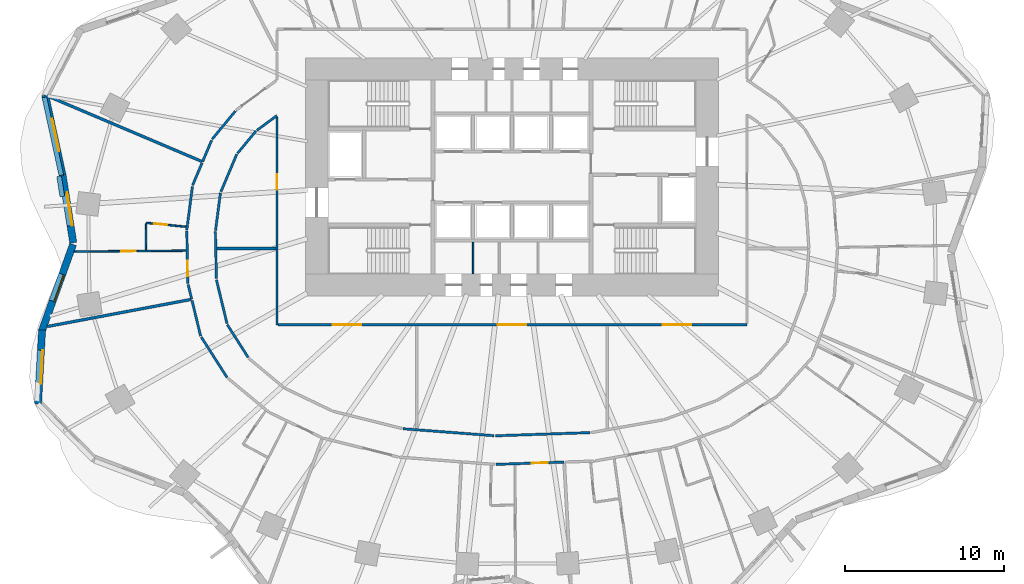
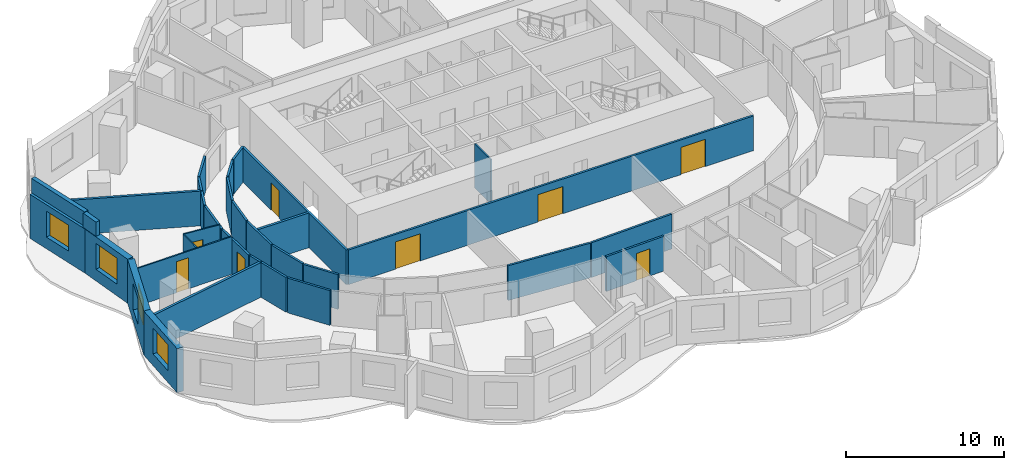
# One storey, part 4 of 11: 33 walls, 8 doors, 4 windows, 12 openings.
"""IFC4 building model written with IfcOpenShell, lengths in metres."""

import ifcopenshell
import ifcopenshell.guid

model = None  # the IFC model being written
_history = None  # IfcOwnerHistory: only IFC2X3 demands one
_inside = {}  # id of a spatial element -> (the spatial element, [elements in it])
_under = {}  # id of a project, library or spatial element -> (it, [spatial elements below it])
_declared = {}  # id of a project -> (the project, [libraries it declares])
_typed = {}  # id of a type object -> (the type object, [elements of that type])
_made_of = {}  # id of a material, layer set ... -> (it, [elements and type objects made of it])


def new_model(schema):
    """Start an empty IFC model of exactly this schema.

    Asked for "IFC4X3", IfcOpenShell would pick the latest addendum, in which some entities
    have other attributes; the version numbers below select the first issue.
    IFC2X3 requires an IfcOwnerHistory on every rooted entity: one is made here for all.
    """
    global model, _history
    if schema == "IFC4X3":
        model = ifcopenshell.file(schema_version=(4, 3, 0, 0))
    else:
        model = ifcopenshell.file(schema=schema)
    _inside.clear()
    _under.clear()
    _declared.clear()
    _typed.clear()
    _made_of.clear()
    _history = None
    if model.schema == "IFC2X3":
        org = make("IfcOrganization", Name="unknown")
        user = make(
            "IfcPersonAndOrganization",
            ThePerson=make("IfcPerson", FamilyName="unknown"),
            TheOrganization=org,
        )
        app = make(
            "IfcApplication",
            ApplicationDeveloper=org,
            Version="unknown",
            ApplicationFullName="unknown",
            ApplicationIdentifier="unknown",
        )
        _history = make(
            "IfcOwnerHistory",
            OwningUser=user,
            OwningApplication=app,
            ChangeAction="ADDED",
            CreationDate=0,
        )
    return model


def make(cls, **values):
    """One entity of the class cls with the attributes given. An attribute that is None is left unset."""
    return model.create_entity(
        cls, **{name: value for name, value in values.items() if value is not None}
    )


def rooted(cls, **values):
    """An entity with a GlobalId (a new one), such as an element, a storey or a relation."""
    return make(cls, GlobalId=ifcopenshell.guid.new(), OwnerHistory=_history, **values)


def si_unit(unit_type, name, prefix=None):
    """IfcSIUnit, for example si_unit("LENGTHUNIT", "METRE", prefix="MILLI")."""
    return make("IfcSIUnit", UnitType=unit_type, Prefix=prefix, Name=name)


def assignment(units):
    """IfcUnitAssignment: the units of a project."""
    return None if units is None else make("IfcUnitAssignment", Units=units)


def point(xyz):
    """IfcCartesianPoint."""
    return None if xyz is None else make("IfcCartesianPoint", Coordinates=xyz)


def direction(xyz):
    """IfcDirection."""
    return None if xyz is None else make("IfcDirection", DirectionRatios=xyz)


def frame(location, z_axis=None, x_axis=None):
    """IfcAxis2Placement3D, a coordinate frame: its origin and axes. An axis left out is left unset."""
    return make(
        "IfcAxis2Placement3D",
        Location=point(location),
        Axis=direction(z_axis),
        RefDirection=direction(x_axis),
    )


def frame_2d(location, x_axis=None):
    """IfcAxis2Placement2D, a coordinate frame in the plane: its origin and x axis."""
    return make(
        "IfcAxis2Placement2D", Location=point(location), RefDirection=direction(x_axis)
    )


def origin():
    """The frame at (0, 0, 0) with its axes left unset."""
    return frame((0.0, 0.0, 0.0))


def place(relative_to, where):
    """IfcLocalPlacement: puts the frame where relative to a parent placement (None: the world)."""
    return make(
        "IfcLocalPlacement", PlacementRelTo=relative_to, RelativePlacement=where
    )


def context(
    kind, dimensions, precision=None, world=None, true_north=None, identifier=None
):
    """IfcGeometricRepresentationContext, for example the 3D "Model" context."""
    return make(
        "IfcGeometricRepresentationContext",
        ContextIdentifier=identifier,
        ContextType=kind,
        CoordinateSpaceDimension=dimensions,
        Precision=precision,
        WorldCoordinateSystem=world,
        TrueNorth=true_north,
    )


def subcontext(parent, identifier, kind, view, scale=None):
    """IfcGeometricRepresentationSubContext, for example "Body" below "Model"."""
    return make(
        "IfcGeometricRepresentationSubContext",
        ContextIdentifier=identifier,
        ContextType=kind,
        ParentContext=parent,
        TargetScale=scale,
        TargetView=view,
    )


def project(units=None, contexts=None):
    """IfcProject with its units and contexts."""
    return rooted(
        "IfcProject",
        Name="project",
        RepresentationContexts=contexts,
        UnitsInContext=assignment(units),
    )


def spatial(cls, under=None, at=None, **own):
    """A site, building, storey or space (cls), placed at a placement, below another one or the project."""
    s = rooted(cls, ObjectPlacement=at, **own)
    if under is not None:
        _under.setdefault(under.id(), (under, []))[1].append(s)
    return s


def profile(cls, at=None, kind="AREA", **sizes):
    """A parametric profile (cls). Its sizes go by their IFC names, for example OverallWidth=200.0."""
    return make(cls, ProfileType=kind, Position=at, **sizes)


def rectangle(**sizes):
    """IfcRectangleProfileDef."""
    return profile("IfcRectangleProfileDef", **sizes)


def extrude(swept, where, along, depth):
    """IfcExtrudedAreaSolid: the profile swept, set in the frame where, extruded along a direction by depth."""
    return make(
        "IfcExtrudedAreaSolid",
        SweptArea=swept,
        Position=where,
        ExtrudedDirection=direction(along),
        Depth=depth,
    )


def shape(context_of_items, identifier, shape_type, items):
    """IfcShapeRepresentation: the items that make up one representation, for example the "Body"."""
    return make(
        "IfcShapeRepresentation",
        ContextOfItems=context_of_items,
        RepresentationIdentifier=identifier,
        RepresentationType=shape_type,
        Items=items,
    )


def material(Name=None, Category=None):
    """IfcMaterial."""
    return make("IfcMaterial", Name=Name, Category=Category)


def layer(
    of_material, thickness, ventilated=None, Name=None, Category=None, Priority=None
):
    """IfcMaterialLayer: one layer of a wall or slab, of a material (None: an air gap)."""
    return make(
        "IfcMaterialLayer",
        Material=of_material,
        LayerThickness=thickness,
        IsVentilated=ventilated,
        Name=Name,
        Category=Category,
        Priority=Priority,
    )


def layer_set(layers, Name=None):
    """IfcMaterialLayerSet."""
    return make("IfcMaterialLayerSet", MaterialLayers=layers, LayerSetName=Name)


def made_of(thing, what):
    """Note that an element or type object is made of a material, layer set ...; save() writes the relation."""
    if what is not None:
        _made_of.setdefault(what.id(), (what, []))[1].append(thing)
    return thing


def type_object(cls, material=None, **own):
    """A type object (cls), such as IfcWallType, which elements share."""
    return made_of(rooted(cls, **own), material)


def element(
    cls,
    number,
    at=None,
    inside=None,
    cuts=None,
    type_object=None,
    material=None,
    context=None,
    identifier="Body",
    shape_type=None,
    held_by="IfcProductDefinitionShape",
    body=None,
    shapes=None,
    **own,
):
    """One element of the class cls, such as IfcWall. Its Tag is "e" and its number.

    at: its placement. inside: the storey or other place that contains it. cuts: it is an
    opening in that element (IfcRelVoidsElement). A single representation is given by context,
    identifier, shape_type and body (its items); several are given by shapes. held_by: the class
    of the entity that holds the representations. save() writes the other relations.
    """
    e = rooted(cls, Tag="e%d" % number, ObjectPlacement=at, **own)
    if body is not None:
        shapes = [shape(context, identifier, shape_type, body)]
    if shapes is not None:
        e.Representation = make(held_by, Representations=shapes)
    if inside is not None:
        _inside.setdefault(inside.id(), (inside, []))[1].append(e)
    if cuts is not None:
        rooted(
            "IfcRelVoidsElement", RelatingBuildingElement=cuts, RelatedOpeningElement=e
        )
    if type_object is not None:
        _typed.setdefault(type_object.id(), (type_object, []))[1].append(e)
    return made_of(e, material)


def fill(opening, filler):
    """IfcRelFillsElement: the door or window that sits in an opening."""
    return rooted(
        "IfcRelFillsElement",
        RelatingOpeningElement=opening,
        RelatedBuildingElement=filler,
    )


def aggregate(whole, parts):
    """IfcRelAggregates: a whole, such as a stair, and the parts it consists of."""
    return rooted("IfcRelAggregates", RelatingObject=whole, RelatedObjects=parts)


def save(model, path):
    """Write the relations noted so far, then the file.

    IfcRelAggregates (storeys below a building ...), IfcRelContainedInSpatialStructure (elements
    in a storey), IfcRelDefinesByType, IfcRelAssociatesMaterial and IfcRelDeclares: one each for
    every whole, place, type object, material and project.
    """
    for whole, parts in _under.values():
        aggregate(whole, parts)
    for where, things in _inside.values():
        rooted(
            "IfcRelContainedInSpatialStructure",
            RelatedElements=things,
            RelatingStructure=where,
        )
    for kind, things in _typed.values():
        rooted("IfcRelDefinesByType", RelatedObjects=things, RelatingType=kind)
    for what, things in _made_of.values():
        rooted("IfcRelAssociatesMaterial", RelatedObjects=things, RelatingMaterial=what)
    for by, libraries in _declared.values():
        rooted("IfcRelDeclares", RelatingContext=by, RelatedDefinitions=libraries)
    model.write(path)


model = new_model("IFC4")

# Units and contexts
model_context = context("Model", 3, precision=1e-05, world=origin(), true_north=direction((0.0, 1.0)))
body_context = subcontext(model_context, "Body", "Model", "MODEL_VIEW")
ifc_project = project(units=[si_unit("LENGTHUNIT", "METRE"), si_unit("AREAUNIT", "SQUARE_METRE"), si_unit("VOLUMEUNIT", "CUBIC_METRE"), si_unit("PLANEANGLEUNIT", "RADIAN"), si_unit("MASSUNIT", "GRAM", prefix="KILO")], contexts=[model_context])

# Site, building, storey
site_placement = place(None, origin())
site = spatial("IfcSite", under=ifc_project, at=site_placement, CompositionType="ELEMENT")
building_placement = place(site_placement, origin())
building = spatial("IfcBuilding", under=site, at=building_placement, Name="Rubra Terraces Tower", CompositionType="ELEMENT")
storey_placement = place(building_placement, frame((0.0, 0.0, 69.89990234375)))
storey = spatial("IfcBuildingStorey", under=building, at=storey_placement, Name="L15", CompositionType="ELEMENT", Elevation=69.89990234375)

# Walls
ifc_material_1 = material(Name="Twin plasterboard on staggered steel stud, acoustic mineral wool", Category="steel")
ifc_layer_1 = layer(ifc_material_1, 0.175048828125)
ifc_layer_set_1 = layer_set([ifc_layer_1], Name="Twin plasterboard on staggered steel stud, acoustic mineral wool")
wall_type_1 = type_object("IfcWallType", Name="ACOUSTIC PARTY WALL 175", PredefinedType="PARTITIONING", material=ifc_layer_set_1)
wall_1_placement = place(storey_placement, frame((-29.13916015625, 9.557373046875, 0.0), z_axis=(0.0, 0.0, 1.0), x_axis=(0.920647173492, -0.390395673568, 0.0)))
element("IfcWall", 1, at=wall_1_placement, inside=storey, type_object=wall_type_1, Name="PARTITION", PredefinedType="PARTITIONING", context=body_context, shape_type="SweptSolid", body=[
    extrude(rectangle(XDim=10.4111328125, YDim=0.175048828125, at=frame_2d((5.20556640625, 0.0))), origin(), (0.0, 0.0, 1.0), 2.68017578125),
])
wall_2_placement = place(storey_placement, frame((-29.256591796875, -4.90966796875, 0.0), z_axis=(0.0, 0.0, 1.0), x_axis=(0.982745434227, 0.184963270695, 0.0)))
element("IfcWall", 2, at=wall_2_placement, inside=storey, type_object=wall_type_1, Name="PARTITION", PredefinedType="PARTITIONING", context=body_context, shape_type="SweptSolid", body=[
    extrude(rectangle(XDim=9.1748046875, YDim=0.175048828125, at=frame_2d((4.58740234375, 0.0))), origin(), (0.0, 0.0, 1.0), 2.68017578125),
])
wall_3_placement = place(storey_placement, frame((-18.578857421875, 0.0, 0.0), z_axis=(0.0, 0.0, 1.0), x_axis=(1.0, 0.0, 0.0)))
element("IfcWall", 3, at=wall_3_placement, inside=storey, type_object=wall_type_1, Name="PARTITION", PredefinedType="PARTITIONING", context=body_context, shape_type="SweptSolid", body=[
    extrude(rectangle(XDim=3.703857421875, YDim=0.175048828125, at=frame_2d((1.85205078125, 0.0))), origin(), (0.0, 0.0, 1.0), 2.68017578125),
])

# Wall, opening, window
ifc_material_2 = material(Name="Brick masonry red-brown", Category="masonry")
ifc_layer_2 = layer(ifc_material_2, 0.449951171875)
ifc_layer_set_2 = layer_set([ifc_layer_2], Name="Brick masonry red-brown")
wall_type_2 = type_object("IfcWallType", Name="Brick facade wall 450", PredefinedType="SOLIDWALL", material=ifc_layer_set_2)
wall_4_placement = place(storey_placement, frame((-29.39697265625, 9.665771484375, 0.0), z_axis=(0.0, 0.0, 1.0), x_axis=(0.211962455994, -0.977277809657, 0.0)))
wall_4 = element("IfcWall", 4, at=wall_4_placement, inside=storey, type_object=wall_type_2, Name="Facade wall L15 bay 19", PredefinedType="SOLIDWALL", context=body_context, shape_type="SweptSolid", body=[
    extrude(rectangle(XDim=5.185546875, YDim=0.449951171875, at=frame_2d((2.5927734375, 0.0))), origin(), (0.0, 0.0, 1.0), 3.400146484375),
])
opening_1_placement = place(wall_4_placement, frame((1.542724609375, 0.0, 0.89990234375)))
opening_1 = element("IfcOpeningElement", 5, at=opening_1_placement, cuts=wall_4, Name="Opening W1", PredefinedType="OPENING", context=body_context, shape_type="SweptSolid", body=[
    extrude(rectangle(XDim=2.10009765625, YDim=2.0, at=frame_2d((1.050048828125, 1.0))), frame((0.0, 0.23486328125, 0.0), z_axis=(0.0, -1.0, 0.0), x_axis=(1.0, 0.0, 0.0)), (0.0, 0.0, 1.0), 0.469970703125),
])
ifc_material_3 = material(Name="Clear glass in aluminium frame", Category="aluminium")
window_type_1 = type_object("IfcWindowType", Name="Fixed deep-set window 2100 x 2000", PartitioningType="SINGLE_PANEL", PredefinedType="WINDOW", material=ifc_material_3)
window_1_placement = place(opening_1_placement, origin())
window_1 = element("IfcWindow", 6, at=window_1_placement, inside=storey, type_object=window_type_1, Name="Window L15 bay 19", OverallHeight=2.0, OverallWidth=2.10009765625, PartitioningType="SINGLE_PANEL", PredefinedType="WINDOW", context=body_context, shape_type="SweptSolid", body=[
    extrude(rectangle(XDim=2.10009765625, YDim=2.0, at=frame_2d((1.050048828125, 1.0))), frame((0.0, 0.135009765625, 0.0), z_axis=(0.0, -1.0, 0.0), x_axis=(1.0, 0.0, 0.0)), (0.0, 0.0, 1.0), 0.06005859375),
])
fill(opening_1, window_1)

wall_5_placement = place(storey_placement, frame((-28.295654296875, 4.584228515625, 0.0), z_axis=(0.0, 0.0, 1.0), x_axis=(0.156402397796, -0.987693419014, 0.0)))
wall_5 = element("IfcWall", 7, at=wall_5_placement, inside=storey, type_object=wall_type_2, Name="Facade wall L15 bay 20", PredefinedType="SOLIDWALL", context=body_context, shape_type="SweptSolid", body=[
    extrude(rectangle(XDim=4.275634765625, YDim=0.449951171875, at=frame_2d((2.1376953125, 0.0))), origin(), (0.0, 0.0, 1.0), 3.400146484375),
])
opening_2_placement = place(wall_5_placement, frame((1.087890625, 0.0, 0.89990234375)))
opening_2 = element("IfcOpeningElement", 8, at=opening_2_placement, cuts=wall_5, Name="Opening W1", PredefinedType="OPENING", context=body_context, shape_type="SweptSolid", body=[
    extrude(rectangle(XDim=2.10009765625, YDim=2.0, at=frame_2d((1.050048828125, 1.0))), frame((0.0, 0.23486328125, 0.0), z_axis=(0.0, -1.0, 0.0), x_axis=(1.0, 0.0, 0.0)), (0.0, 0.0, 1.0), 0.469970703125),
])
window_2_placement = place(opening_2_placement, origin())
window_2 = element("IfcWindow", 9, at=window_2_placement, inside=storey, type_object=window_type_1, Name="Window L15 bay 20", OverallHeight=2.0, OverallWidth=2.10009765625, PartitioningType="SINGLE_PANEL", PredefinedType="WINDOW", context=body_context, shape_type="SweptSolid", body=[
    extrude(rectangle(XDim=2.10009765625, YDim=2.0, at=frame_2d((1.050048828125, 1.0))), frame((0.0, 0.135009765625, 0.0), z_axis=(0.0, -1.0, 0.0), x_axis=(1.0, 0.0, 0.0)), (0.0, 0.0, 1.0), 0.06005859375),
])
fill(opening_2, window_2)

wall_6_placement = place(storey_placement, frame((-27.638427734375, 0.25732421875, 0.0), z_axis=(0.0, 0.0, 1.0), x_axis=(-0.338914809068, -0.940817066275, 0.0)))
wall_6 = element("IfcWall", 10, at=wall_6_placement, inside=storey, type_object=wall_type_2, Name="Facade wall L15 bay 21", PredefinedType="SOLIDWALL", context=body_context, shape_type="SweptSolid", body=[
    extrude(rectangle(XDim=5.79736328125, YDim=0.449951171875, at=frame_2d((2.898681640625, 0.0))), origin(), (0.0, 0.0, 1.0), 3.400146484375),
])
opening_3_placement = place(wall_6_placement, frame((1.99853515625, 0.0, 0.89990234375)))
opening_3 = element("IfcOpeningElement", 11, at=opening_3_placement, cuts=wall_6, Name="Opening W6", PredefinedType="OPENING", context=body_context, shape_type="SweptSolid", body=[
    extrude(rectangle(XDim=1.800048828125, YDim=2.0, at=frame_2d((0.89990234375, 1.0))), frame((0.0, 0.23486328125, 0.0), z_axis=(0.0, -1.0, 0.0), x_axis=(1.0, 0.0, 0.0)), (0.0, 0.0, 1.0), 0.469970703125),
])
window_type_2 = type_object("IfcWindowType", Name="Fixed deep-set window at wind fin 1800 x 2000", PartitioningType="SINGLE_PANEL", PredefinedType="WINDOW", material=ifc_material_3)
window_3_placement = place(opening_3_placement, origin())
window_3 = element("IfcWindow", 12, at=window_3_placement, inside=storey, type_object=window_type_2, Name="Window L15 bay 21", OverallHeight=2.0, OverallWidth=1.800048828125, PartitioningType="SINGLE_PANEL", PredefinedType="WINDOW", context=body_context, shape_type="SweptSolid", body=[
    extrude(rectangle(XDim=1.800048828125, YDim=2.0, at=frame_2d((0.89990234375, 1.0))), frame((0.0, 0.135009765625, 0.0), z_axis=(0.0, -1.0, 0.0), x_axis=(1.0, 0.0, 0.0)), (0.0, 0.0, 1.0), 0.06005859375),
])
fill(opening_3, window_3)

wall_7_placement = place(storey_placement, frame((-29.59033203125, -5.1328125, 0.0), z_axis=(0.0, 0.0, 1.0), x_axis=(-0.054738225791, -0.998500739427, 0.0)))
wall_7 = element("IfcWall", 13, at=wall_7_placement, inside=storey, type_object=wall_type_2, Name="Facade wall L15 bay 22", PredefinedType="SOLIDWALL", context=body_context, shape_type="SweptSolid", body=[
    extrude(rectangle(XDim=4.656494140625, YDim=0.449951171875, at=frame_2d((2.328125, 0.0))), origin(), (0.0, 0.0, 1.0), 3.400146484375),
])
opening_4_placement = place(wall_7_placement, frame((1.2783203125, 0.0, 0.89990234375)))
opening_4 = element("IfcOpeningElement", 14, at=opening_4_placement, cuts=wall_7, Name="Opening W1", PredefinedType="OPENING", context=body_context, shape_type="SweptSolid", body=[
    extrude(rectangle(XDim=2.10009765625, YDim=2.0, at=frame_2d((1.050048828125, 1.0))), frame((0.0, 0.23486328125, 0.0), z_axis=(0.0, -1.0, 0.0), x_axis=(1.0, 0.0, 0.0)), (0.0, 0.0, 1.0), 0.469970703125),
])
window_4_placement = place(opening_4_placement, origin())
window_4 = element("IfcWindow", 15, at=window_4_placement, inside=storey, type_object=window_type_1, Name="Window L15 bay 22", OverallHeight=2.0, OverallWidth=2.10009765625, PartitioningType="SINGLE_PANEL", PredefinedType="WINDOW", context=body_context, shape_type="SweptSolid", body=[
    extrude(rectangle(XDim=2.10009765625, YDim=2.0, at=frame_2d((1.050048828125, 1.0))), frame((0.0, 0.135009765625, 0.0), z_axis=(0.0, -1.0, 0.0), x_axis=(1.0, 0.0, 0.0)), (0.0, 0.0, 1.0), 0.06005859375),
])
fill(opening_4, window_4)

# Walls
ifc_layer_3 = layer(ifc_material_2, 0.300048828125)
ifc_layer_set_3 = layer_set([ifc_layer_3], Name="Brick masonry red-brown")
wall_type_3 = type_object("IfcWallType", Name="Brick parapet 300", PredefinedType="PARAPET", material=ifc_layer_set_3)
wall_8_placement = place(storey_placement, frame((-29.44189453125, 9.519775390625, 3.60009765625), z_axis=(0.0, 0.0, 1.0), x_axis=(0.211918382355, -0.977287367779, 0.0)))
element("IfcWall", 16, at=wall_8_placement, inside=storey, type_object=wall_type_3, Name="Parapet L15 bay 19", PredefinedType="PARAPET", context=body_context, shape_type="SweptSolid", body=[
    extrude(rectangle(XDim=5.01611328125, YDim=0.300048828125, at=frame_2d((2.508056640625, 0.0))), origin(), (0.0, 0.0, 1.0), 1.10009765625),
])
wall_9_placement = place(storey_placement, frame((-28.51904296875, 4.556396484375, 3.60009765625), z_axis=(0.0, 0.0, 1.0), x_axis=(0.156466543472, -0.987683259337, 0.0)))
element("IfcWall", 17, at=wall_9_placement, inside=storey, type_object=wall_type_3, Name="Parapet L15 bay 20", PredefinedType="PARAPET", context=body_context, shape_type="SweptSolid", body=[
    extrude(rectangle(XDim=1.29345703125, YDim=0.300048828125, at=frame_2d((0.646728515625, 0.0))), origin(), (0.0, 0.0, 1.0), 1.10009765625),
])
ifc_material_4 = material(Name="Plasterboard on steel stud, mineral wool infill", Category="steel")
ifc_layer_4 = layer(ifc_material_4, 0.14990234375)
ifc_layer_set_4 = layer_set([ifc_layer_4], Name="Plasterboard on steel stud, mineral wool infill")
wall_type_4 = type_object("IfcWallType", Name="CORRIDOR PARTITION 150", PredefinedType="PARTITIONING", material=ifc_layer_set_4)
wall_10_placement = place(storey_placement, frame((-17.416015625, 8.65869140625, 0.0), z_axis=(0.0, 0.0, 1.0), x_axis=(-0.636865073139, -0.770975277564, 0.0)))
element("IfcWall", 18, at=wall_10_placement, inside=storey, type_object=wall_type_4, Name="PARTITION", PredefinedType="PARTITIONING", context=body_context, shape_type="SweptSolid", body=[
    extrude(rectangle(XDim=2.31201171875, YDim=0.14990234375, at=frame_2d((1.156005859375, 0.0))), origin(), (0.0, 0.0, 1.0), 2.68017578125),
])
wall_11_placement = place(storey_placement, frame((-18.917724609375, 6.80712890625, 0.0), z_axis=(0.0, 0.0, 1.0), x_axis=(-0.38918670373, -0.921158894893, 0.0)))
element("IfcWall", 19, at=wall_11_placement, inside=storey, type_object=wall_type_4, Name="PARTITION", PredefinedType="PARTITIONING", context=body_context, shape_type="SweptSolid", body=[
    extrude(rectangle(XDim=1.45849609375, YDim=0.14990234375, at=frame_2d((0.729248046875, 0.0))), origin(), (0.0, 0.0, 1.0), 2.68017578125),
])
wall_12_placement = place(storey_placement, frame((-19.514404296875, 5.39453125, 0.0), z_axis=(0.0, 0.0, 1.0), x_axis=(-0.38919963173, -0.921153432747, 0.0)))
element("IfcWall", 20, at=wall_12_placement, inside=storey, type_object=wall_type_4, Name="PARTITION", PredefinedType="PARTITIONING", context=body_context, shape_type="SweptSolid", body=[
    extrude(rectangle(XDim=1.53759765625, YDim=0.14990234375, at=frame_2d((0.768798828125, 0.0))), origin(), (0.0, 0.0, 1.0), 2.68017578125),
])
wall_13_placement = place(storey_placement, frame((-20.12255859375, 3.90380859375, 0.0), z_axis=(0.0, 0.0, 1.0), x_axis=(-0.128964810526, -0.991649170648, 0.0)))
element("IfcWall", 21, at=wall_13_placement, inside=storey, type_object=wall_type_4, Name="PARTITION", PredefinedType="PARTITIONING", context=body_context, shape_type="SweptSolid", body=[
    extrude(rectangle(XDim=2.760009765625, YDim=0.14990234375, at=frame_2d((1.3798828125, 0.0))), origin(), (0.0, 0.0, 1.0), 2.68017578125),
])

# Wall, opening, door
wall_14_placement = place(storey_placement, frame((-20.476806640625, 1.091796875, 0.0), z_axis=(0.0, 0.0, 1.0), x_axis=(0.020774736247, -0.999784181878, 0.0)))
wall_14 = element("IfcWall", 22, at=wall_14_placement, inside=storey, type_object=wall_type_4, Name="PARTITION", PredefinedType="PARTITIONING", context=body_context, shape_type="SweptSolid", body=[
    extrude(rectangle(XDim=3.29052734375, YDim=0.14990234375, at=frame_2d((1.645263671875, 0.0))), origin(), (0.0, 0.0, 1.0), 2.68017578125),
])
opening_5_placement = place(wall_14_placement, frame((1.85009765625, 0.0, 0.0)))
opening_5 = element("IfcOpeningElement", 23, at=opening_5_placement, cuts=wall_14, Name="Opening 15-110", PredefinedType="OPENING", context=body_context, shape_type="SweptSolid", body=[
    extrude(rectangle(XDim=1.0, YDim=2.10009765625, at=frame_2d((0.5, 1.050048828125))), frame((0.0, 0.0849609375, 0.0), z_axis=(0.0, -1.0, 0.0), x_axis=(1.0, 0.0, 0.0)), (0.0, 0.0, 1.0), 0.169921875),
])
ifc_material_5 = material(Name="Painted timber door leaf", Category="wood")
door_type_1 = type_object("IfcDoorType", Name="ROOM DOOR 1000 X 2100", OperationType="SINGLE_SWING_LEFT", PredefinedType="DOOR", material=ifc_material_5)
door_1_placement = place(opening_5_placement, origin())
door_1 = element("IfcDoor", 24, at=door_1_placement, inside=storey, type_object=door_type_1, Name="DOOR 15-110", OperationType="SINGLE_SWING_RIGHT", OverallHeight=2.10009765625, OverallWidth=1.0, PredefinedType="DOOR", context=body_context, shape_type="SweptSolid", body=[
    extrude(rectangle(XDim=1.0, YDim=2.10009765625, at=frame_2d((0.5, 1.050048828125))), frame((0.0, 0.02490234375, 0.0), z_axis=(0.0, -1.0, 0.0), x_axis=(1.0, 0.0, 0.0)), (0.0, 0.0, 1.0), 0.050048828125),
])
fill(opening_5, door_1)

# Walls
wall_15_placement = place(storey_placement, frame((-20.390869140625, -2.27099609375, 0.0), z_axis=(0.0, 0.0, 1.0), x_axis=(0.235307200809, -0.971921046818, 0.0)))
element("IfcWall", 25, at=wall_15_placement, inside=storey, type_object=wall_type_4, Name="PARTITION", PredefinedType="PARTITIONING", context=body_context, shape_type="SweptSolid", body=[
    extrude(rectangle(XDim=0.95458984375, YDim=0.14990234375, at=frame_2d((0.477294921875, 0.0))), origin(), (0.0, 0.0, 1.0), 2.68017578125),
])
wall_16_placement = place(storey_placement, frame((-20.148681640625, -3.271728515625, 0.0), z_axis=(0.0, 0.0, 1.0), x_axis=(0.235227162998, -0.971940420905, 0.0)))
element("IfcWall", 26, at=wall_16_placement, inside=storey, type_object=wall_type_4, Name="PARTITION", PredefinedType="PARTITIONING", context=body_context, shape_type="SweptSolid", body=[
    extrude(rectangle(XDim=2.30517578125, YDim=0.14990234375, at=frame_2d((1.152587890625, 0.0))), origin(), (0.0, 0.0, 1.0), 2.68017578125),
])
wall_17_placement = place(storey_placement, frame((-19.566162109375, -5.575439453125, 0.0), z_axis=(0.0, 0.0, 1.0), x_axis=(0.538039111825, -0.842919874096, 0.0)))
element("IfcWall", 27, at=wall_17_placement, inside=storey, type_object=wall_type_4, Name="PARTITION", PredefinedType="PARTITIONING", context=body_context, shape_type="SweptSolid", body=[
    extrude(rectangle(XDim=3.026123046875, YDim=0.14990234375, at=frame_2d((1.51318359375, 0.0))), origin(), (0.0, 0.0, 1.0), 2.68017578125),
])

# Wall, opening, door
wall_18_placement = place(storey_placement, frame((-1.015625, -13.592041015625, 0.0), z_axis=(0.0, 0.0, 1.0), x_axis=(0.999436122376, 0.03357733298, 0.0)))
wall_18 = element("IfcWall", 28, at=wall_18_placement, inside=storey, type_object=wall_type_4, Name="PARTITION", PredefinedType="PARTITIONING", context=body_context, shape_type="SweptSolid", body=[
    extrude(rectangle(XDim=4.304443359375, YDim=0.14990234375, at=frame_2d((2.15234375, 0.0))), origin(), (0.0, 0.0, 1.0), 2.68017578125),
])
opening_6_placement = place(wall_18_placement, frame((2.259033203125, 0.0, 0.0)))
opening_6 = element("IfcOpeningElement", 29, at=opening_6_placement, cuts=wall_18, Name="Opening 15-117", PredefinedType="OPENING", context=body_context, shape_type="SweptSolid", body=[
    extrude(rectangle(XDim=1.0, YDim=2.10009765625, at=frame_2d((0.5, 1.050048828125))), frame((0.0, 0.0849609375, 0.0), z_axis=(0.0, -1.0, 0.0), x_axis=(1.0, 0.0, 0.0)), (0.0, 0.0, 1.0), 0.169921875),
])
door_2_placement = place(opening_6_placement, origin())
door_2 = element("IfcDoor", 30, at=door_2_placement, inside=storey, type_object=door_type_1, Name="DOOR 15-117", OperationType="SINGLE_SWING_RIGHT", OverallHeight=2.10009765625, OverallWidth=1.0, PredefinedType="DOOR", context=body_context, shape_type="SweptSolid", body=[
    extrude(rectangle(XDim=1.0, YDim=2.10009765625, at=frame_2d((0.5, 1.050048828125))), frame((0.0, 0.02490234375, 0.0), z_axis=(0.0, -1.0, 0.0), x_axis=(1.0, 0.0, 0.0)), (0.0, 0.0, 1.0), 0.050048828125),
])
fill(opening_6, door_2)

# Walls
wall_19_placement = place(storey_placement, frame((4.917724609375, -11.591796875, 0.0), z_axis=(0.0, 0.0, 1.0), x_axis=(-0.999436848763, -0.033555704937, 0.0)))
element("IfcWall", 31, at=wall_19_placement, inside=storey, type_object=wall_type_4, Name="PARTITION", PredefinedType="PARTITIONING", context=body_context, shape_type="SweptSolid", body=[
    extrude(rectangle(XDim=5.973388671875, YDim=0.14990234375, at=frame_2d((2.98681640625, 0.0))), origin(), (0.0, 0.0, 1.0), 2.68017578125),
])
wall_20_placement = place(storey_placement, frame((-1.126953125, -11.78662109375, 0.0), z_axis=(0.0, 0.0, 1.0), x_axis=(-0.997100464786, 0.076096406765, 0.0)))
element("IfcWall", 32, at=wall_20_placement, inside=storey, type_object=wall_type_4, Name="PARTITION", PredefinedType="PARTITIONING", context=body_context, shape_type="SweptSolid", body=[
    extrude(rectangle(XDim=5.755615234375, YDim=0.14990234375, at=frame_2d((2.8779296875, 0.0))), origin(), (0.0, 0.0, 1.0), 2.68017578125),
])
wall_21_placement = place(storey_placement, frame((-16.6123046875, -6.857666015625, 0.0), z_axis=(0.0, 0.0, 1.0), x_axis=(-0.53797355371, 0.842961716514, 0.0)))
element("IfcWall", 33, at=wall_21_placement, inside=storey, type_object=wall_type_4, Name="PARTITION", PredefinedType="PARTITIONING", context=body_context, shape_type="SweptSolid", body=[
    extrude(rectangle(XDim=2.44482421875, YDim=0.14990234375, at=frame_2d((1.222412109375, 0.0))), origin(), (0.0, 0.0, 1.0), 2.68017578125),
])
wall_22_placement = place(storey_placement, frame((-17.9453125, -4.72412109375, 0.0), z_axis=(0.0, 0.0, 1.0), x_axis=(-0.235203730389, 0.971946091721, 0.0)))
element("IfcWall", 34, at=wall_22_placement, inside=storey, type_object=wall_type_4, Name="PARTITION", PredefinedType="PARTITIONING", context=body_context, shape_type="SweptSolid", body=[
    extrude(rectangle(XDim=2.8388671875, YDim=0.14990234375, at=frame_2d((1.41943359375, 0.0))), origin(), (0.0, 0.0, 1.0), 2.68017578125),
])
wall_23_placement = place(storey_placement, frame((-18.614501953125, -1.889892578125, 0.0), z_axis=(0.0, 0.0, 1.0), x_axis=(-0.020789300895, 0.99978387913, 0.0)))
element("IfcWall", 35, at=wall_23_placement, inside=storey, type_object=wall_type_4, Name="PARTITION", PredefinedType="PARTITIONING", context=body_context, shape_type="SweptSolid", body=[
    extrude(rectangle(XDim=2.95947265625, YDim=0.14990234375, at=frame_2d((1.479736328125, 0.0))), origin(), (0.0, 0.0, 1.0), 2.68017578125),
])
wall_24_placement = place(storey_placement, frame((-18.66650390625, 1.143310546875, 0.0), z_axis=(0.0, 0.0, 1.0), x_axis=(0.128944484332, 0.991651813874, 0.0)))
element("IfcWall", 36, at=wall_24_placement, inside=storey, type_object=wall_type_4, Name="PARTITION", PredefinedType="PARTITIONING", context=body_context, shape_type="SweptSolid", body=[
    extrude(rectangle(XDim=2.3798828125, YDim=0.14990234375, at=frame_2d((1.18994140625, 0.0))), origin(), (0.0, 0.0, 1.0), 2.68017578125),
])
wall_25_placement = place(storey_placement, frame((-18.330322265625, 3.572509765625, 0.0), z_axis=(0.0, 0.0, 1.0), x_axis=(0.389176861346, 0.921163053207, 0.0)))
element("IfcWall", 37, at=wall_25_placement, inside=storey, type_object=wall_type_4, Name="PARTITION", PredefinedType="PARTITIONING", context=body_context, shape_type="SweptSolid", body=[
    extrude(rectangle(XDim=2.562744140625, YDim=0.14990234375, at=frame_2d((1.28125, 0.0))), origin(), (0.0, 0.0, 1.0), 2.68017578125),
])
wall_26_placement = place(storey_placement, frame((-17.28515625, 5.99072265625, 0.0), z_axis=(0.0, 0.0, 1.0), x_axis=(0.636877992195, 0.770964605581, 0.0)))
element("IfcWall", 38, at=wall_26_placement, inside=storey, type_object=wall_type_4, Name="PARTITION", PredefinedType="PARTITIONING", context=body_context, shape_type="SweptSolid", body=[
    extrude(rectangle(XDim=1.826171875, YDim=0.14990234375, at=frame_2d((0.9130859375, 0.0))), origin(), (0.0, 0.0, 1.0), 2.68017578125),
])
wall_27_placement = place(storey_placement, frame((-16.061767578125, 7.443115234375, 0.0), z_axis=(0.0, 0.0, 1.0), x_axis=(0.805204624788, 0.5929970592, 0.0)))
element("IfcWall", 39, at=wall_27_placement, inside=storey, type_object=wall_type_4, Name="PARTITION", PredefinedType="PARTITIONING", context=body_context, shape_type="SweptSolid", body=[
    extrude(rectangle(XDim=1.56689453125, YDim=0.14990234375, at=frame_2d((0.783447265625, 0.0))), origin(), (0.0, 0.0, 1.0), 2.68017578125),
])

# Wall, opening, door
wall_28_placement = place(storey_placement, frame((-14.800048828125, 8.297119140625, 0.0), z_axis=(0.0, 0.0, 1.0), x_axis=(0.0, -1.0, 0.0)))
wall_28 = element("IfcWall", 40, at=wall_28_placement, inside=storey, type_object=wall_type_4, Name="PARTITION", PredefinedType="PARTITIONING", context=body_context, shape_type="SweptSolid", body=[
    extrude(rectangle(XDim=13.09716796875, YDim=0.14990234375, at=frame_2d((6.548583984375, 0.0))), origin(), (0.0, 0.0, 1.0), 2.68017578125),
])
opening_7_placement = place(wall_28_placement, frame((3.611083984375, 0.0, 0.0)))
opening_7 = element("IfcOpeningElement", 41, at=opening_7_placement, cuts=wall_28, Name="Opening 15-135", PredefinedType="OPENING", context=body_context, shape_type="SweptSolid", body=[
    extrude(rectangle(XDim=1.0, YDim=2.10009765625, at=frame_2d((0.5, 1.050048828125))), frame((0.0, 0.0849609375, 0.0), z_axis=(0.0, -1.0, 0.0), x_axis=(1.0, 0.0, 0.0)), (0.0, 0.0, 1.0), 0.169921875),
])
door_3_placement = place(opening_7_placement, origin())
door_3 = element("IfcDoor", 42, at=door_3_placement, inside=storey, type_object=door_type_1, Name="DOOR 15-135", OperationType="SINGLE_SWING_RIGHT", OverallHeight=2.10009765625, OverallWidth=1.0, PredefinedType="DOOR", context=body_context, shape_type="SweptSolid", body=[
    extrude(rectangle(XDim=1.0, YDim=2.10009765625, at=frame_2d((0.5, 1.050048828125))), frame((0.0, 0.02490234375, 0.0), z_axis=(0.0, -1.0, 0.0), x_axis=(1.0, 0.0, 0.0)), (0.0, 0.0, 1.0), 0.050048828125),
])
fill(opening_7, door_3)

# Wall, openings, doors
wall_29_placement = place(storey_placement, frame((-14.72509765625, -4.800048828125, 0.0), z_axis=(0.0, 0.0, 1.0), x_axis=(1.0, 0.0, 0.0)))
wall_29 = element("IfcWall", 43, at=wall_29_placement, inside=storey, type_object=wall_type_4, Name="PARTITION", PredefinedType="PARTITIONING", context=body_context, shape_type="SweptSolid", body=[
    extrude(rectangle(XDim=29.525146484375, YDim=0.14990234375, at=frame_2d((14.7626953125, 0.0))), origin(), (0.0, 0.0, 1.0), 2.68017578125),
])
opening_8_placement = place(wall_29_placement, frame((3.425048828125, 0.0, 0.0)))
opening_8 = element("IfcOpeningElement", 44, at=opening_8_placement, cuts=wall_29, Name="Opening 15-136", PredefinedType="OPENING", context=body_context, shape_type="SweptSolid", body=[
    extrude(rectangle(XDim=1.800048828125, YDim=2.10009765625, at=frame_2d((0.89990234375, 1.050048828125))), frame((0.0, 0.0849609375, 0.0), z_axis=(0.0, -1.0, 0.0), x_axis=(1.0, 0.0, 0.0)), (0.0, 0.0, 1.0), 0.169921875),
])
opening_9_placement = place(wall_29_placement, frame((13.824951171875, 0.0, 0.0)))
opening_9 = element("IfcOpeningElement", 45, at=opening_9_placement, cuts=wall_29, Name="Opening 15-137", PredefinedType="OPENING", context=body_context, shape_type="SweptSolid", body=[
    extrude(rectangle(XDim=1.800048828125, YDim=2.10009765625, at=frame_2d((0.89990234375, 1.050048828125))), frame((0.0, 0.0849609375, 0.0), z_axis=(0.0, -1.0, 0.0), x_axis=(1.0, 0.0, 0.0)), (0.0, 0.0, 1.0), 0.169921875),
])
opening_10_placement = place(wall_29_placement, frame((24.22509765625, 0.0, 0.0)))
opening_10 = element("IfcOpeningElement", 46, at=opening_10_placement, cuts=wall_29, Name="Opening 15-138", PredefinedType="OPENING", context=body_context, shape_type="SweptSolid", body=[
    extrude(rectangle(XDim=1.800048828125, YDim=2.10009765625, at=frame_2d((0.89990234375, 1.050048828125))), frame((0.0, 0.0849609375, 0.0), z_axis=(0.0, -1.0, 0.0), x_axis=(1.0, 0.0, 0.0)), (0.0, 0.0, 1.0), 0.169921875),
])
ifc_material_6 = material(Name="Painted timber door leaf, double", Category="wood")
door_type_2 = type_object("IfcDoorType", Name="ROOM DOUBLE DOOR 1800 X 2100", OperationType="DOUBLE_DOOR_SINGLE_SWING", PredefinedType="DOOR", material=ifc_material_6)
door_4_placement = place(opening_8_placement, origin())
door_4 = element("IfcDoor", 47, at=door_4_placement, inside=storey, type_object=door_type_2, Name="DOOR 15-136", OperationType="DOUBLE_DOOR_SINGLE_SWING", OverallHeight=2.10009765625, OverallWidth=1.800048828125, PredefinedType="DOOR", context=body_context, shape_type="SweptSolid", body=[
    extrude(rectangle(XDim=1.800048828125, YDim=2.10009765625, at=frame_2d((0.89990234375, 1.050048828125))), frame((0.0, 0.02490234375, 0.0), z_axis=(0.0, -1.0, 0.0), x_axis=(1.0, 0.0, 0.0)), (0.0, 0.0, 1.0), 0.050048828125),
])
fill(opening_8, door_4)
door_5_placement = place(opening_9_placement, origin())
door_5 = element("IfcDoor", 48, at=door_5_placement, inside=storey, type_object=door_type_2, Name="DOOR 15-137", OperationType="DOUBLE_DOOR_SINGLE_SWING", OverallHeight=2.10009765625, OverallWidth=1.800048828125, PredefinedType="DOOR", context=body_context, shape_type="SweptSolid", body=[
    extrude(rectangle(XDim=1.800048828125, YDim=2.10009765625, at=frame_2d((0.89990234375, 1.050048828125))), frame((0.0, 0.02490234375, 0.0), z_axis=(0.0, -1.0, 0.0), x_axis=(1.0, 0.0, 0.0)), (0.0, 0.0, 1.0), 0.050048828125),
])
fill(opening_9, door_5)
door_6_placement = place(opening_10_placement, origin())
door_6 = element("IfcDoor", 49, at=door_6_placement, inside=storey, type_object=door_type_2, Name="DOOR 15-138", OperationType="DOUBLE_DOOR_SINGLE_SWING", OverallHeight=2.10009765625, OverallWidth=1.800048828125, PredefinedType="DOOR", context=body_context, shape_type="SweptSolid", body=[
    extrude(rectangle(XDim=1.800048828125, YDim=2.10009765625, at=frame_2d((0.89990234375, 1.050048828125))), frame((0.0, 0.02490234375, 0.0), z_axis=(0.0, -1.0, 0.0), x_axis=(1.0, 0.0, 0.0)), (0.0, 0.0, 1.0), 0.050048828125),
])
fill(opening_10, door_6)

# Wall, opening, door
ifc_material_7 = material(Name="Plasterboard on steel stud", Category="steel")
ifc_layer_5 = layer(ifc_material_7, 0.10009765625)
ifc_layer_set_5 = layer_set([ifc_layer_5], Name="Plasterboard on steel stud")
wall_type_5 = type_object("IfcWallType", Name="ROOM PARTITION 100", PredefinedType="PARTITIONING", material=ifc_layer_set_5)
wall_30_placement = place(storey_placement, frame((-27.56103515625, -0.191650390625, 0.0), z_axis=(0.0, 0.0, 1.0), x_axis=(0.999968143518, 0.007981976574, 0.0)))
wall_30 = element("IfcWall", 50, at=wall_30_placement, inside=storey, type_object=wall_type_5, Name="PARTITION", PredefinedType="PARTITIONING", context=body_context, shape_type="SweptSolid", body=[
    extrude(rectangle(XDim=7.034912109375, YDim=0.10009765625, at=frame_2d((3.517578125, 0.0))), origin(), (0.0, 0.0, 1.0), 2.898193359375),
])
opening_11_placement = place(wall_30_placement, frame((2.9599609375, 0.0, 0.0)))
opening_11 = element("IfcOpeningElement", 51, at=opening_11_placement, cuts=wall_30, Name="Opening 15-109", PredefinedType="OPENING", context=body_context, shape_type="SweptSolid", body=[
    extrude(rectangle(XDim=0.89990234375, YDim=2.39990234375, at=frame_2d((0.449951171875, 1.199951171875))), frame((0.0, 0.06005859375, 0.0), z_axis=(0.0, -1.0, 0.0), x_axis=(1.0, 0.0, 0.0)), (0.0, 0.0, 1.0), 0.1201171875),
])
ifc_material_8 = material(Name="Veneered timber door leaf, fire-rated", Category="wood")
door_type_3 = type_object("IfcDoorType", Name="SUITE ENTRANCE DOOR 900 X 2400", OperationType="SINGLE_SWING_LEFT", PredefinedType="DOOR", material=ifc_material_8)
door_7_placement = place(opening_11_placement, origin())
door_7 = element("IfcDoor", 52, at=door_7_placement, inside=storey, type_object=door_type_3, Name="DOOR 15-109", OperationType="SINGLE_SWING_LEFT", OverallHeight=2.39990234375, OverallWidth=0.89990234375, PredefinedType="DOOR", context=body_context, shape_type="SweptSolid", body=[
    extrude(rectangle(XDim=0.89990234375, YDim=2.39990234375, at=frame_2d((0.449951171875, 1.199951171875))), frame((0.0, 0.02490234375, 0.0), z_axis=(0.0, -1.0, 0.0), x_axis=(1.0, 0.0, 0.0)), (0.0, 0.0, 1.0), 0.050048828125),
])
fill(opening_11, door_7)

wall_31_placement = place(storey_placement, frame((-20.527587890625, 1.37060546875, 0.0), z_axis=(0.0, 0.0, 1.0), x_axis=(-0.995239013231, 0.097464386023, 0.0)))
wall_31 = element("IfcWall", 53, at=wall_31_placement, inside=storey, type_object=wall_type_5, Name="PARTITION", PredefinedType="PARTITIONING", context=body_context, shape_type="SweptSolid", body=[
    extrude(rectangle(XDim=2.52490234375, YDim=0.10009765625, at=frame_2d((1.262451171875, 0.0))), origin(), (0.0, 0.0, 1.0), 2.898193359375),
])
opening_12_placement = place(wall_31_placement, frame((1.199951171875, 0.0, 0.0)))
opening_12 = element("IfcOpeningElement", 54, at=opening_12_placement, cuts=wall_31, Name="Opening 15-108", PredefinedType="OPENING", context=body_context, shape_type="SweptSolid", body=[
    extrude(rectangle(XDim=0.800048828125, YDim=2.10009765625, at=frame_2d((0.39990234375, 1.050048828125))), frame((0.0, 0.06005859375, 0.0), z_axis=(0.0, -1.0, 0.0), x_axis=(1.0, 0.0, 0.0)), (0.0, 0.0, 1.0), 0.1201171875),
])
door_type_4 = type_object("IfcDoorType", Name="BATHROOM DOOR 800 X 2100", OperationType="SINGLE_SWING_LEFT", PredefinedType="DOOR", material=ifc_material_5)
door_8_placement = place(opening_12_placement, origin())
door_8 = element("IfcDoor", 55, at=door_8_placement, inside=storey, type_object=door_type_4, Name="DOOR 15-108", OperationType="SINGLE_SWING_LEFT", OverallHeight=2.10009765625, OverallWidth=0.800048828125, PredefinedType="DOOR", context=body_context, shape_type="SweptSolid", body=[
    extrude(rectangle(XDim=0.800048828125, YDim=2.10009765625, at=frame_2d((0.39990234375, 1.050048828125))), frame((0.0, 0.02490234375, 0.0), z_axis=(0.0, -1.0, 0.0), x_axis=(1.0, 0.0, 0.0)), (0.0, 0.0, 1.0), 0.050048828125),
])
fill(opening_12, door_8)

# Walls
wall_32_placement = place(storey_placement, frame((-23.041015625, 1.56689453125, 0.0), z_axis=(0.0, 0.0, 1.0), x_axis=(-0.005984420642, -0.999982093194, 0.0)))
element("IfcWall", 56, at=wall_32_placement, inside=storey, type_object=wall_type_5, Name="PARTITION", PredefinedType="PARTITIONING", context=body_context, shape_type="SweptSolid", body=[
    extrude(rectangle(XDim=1.672607421875, YDim=0.10009765625, at=frame_2d((0.83642578125, 0.0))), origin(), (0.0, 0.0, 1.0), 2.898193359375),
])
ifc_material_9 = material(Name="Blockwork", Category="masonry")
ifc_layer_6 = layer(ifc_material_9, 0.10009765625)
ifc_layer_set_6 = layer_set([ifc_layer_6], Name="Blockwork")
wall_type_6 = type_object("IfcWallType", Name="Service partition 100 blockwork", PredefinedType="PARTITIONING", material=ifc_layer_set_6)
wall_33_placement = place(storey_placement, frame((-2.449951171875, -1.60009765625, 0.0), z_axis=(0.0, 0.0, 1.0), x_axis=(0.0, 1.0, 0.0)))
element("IfcWall", 57, at=wall_33_placement, inside=storey, type_object=wall_type_6, Name="SERVICE ROOM PARTITION L15", PredefinedType="PARTITIONING", context=body_context, shape_type="SweptSolid", body=[
    extrude(rectangle(XDim=2.0, YDim=0.10009765625, at=frame_2d((1.0, 0.0))), origin(), (0.0, 0.0, 1.0), 3.400146484375),
])

save(model, "model.ifc")
